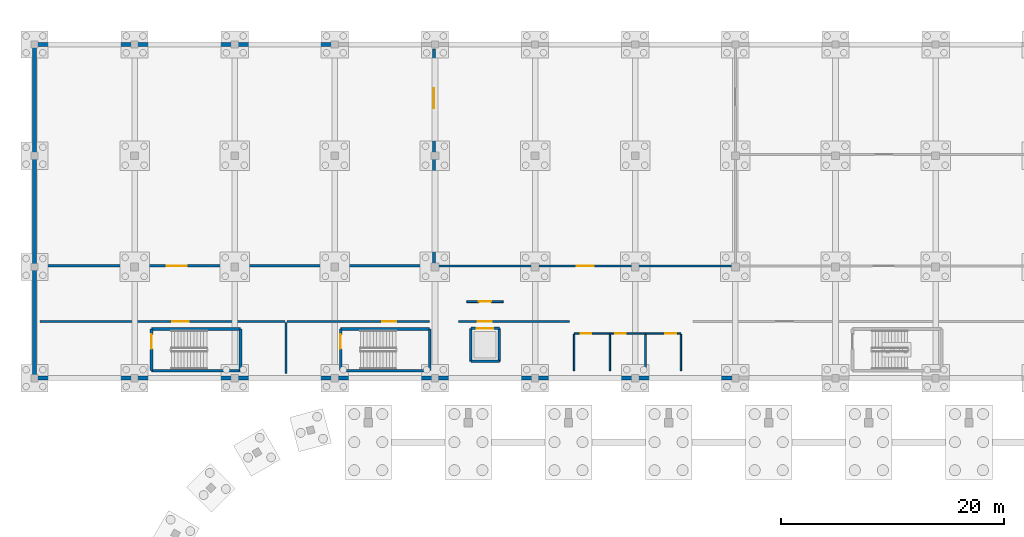
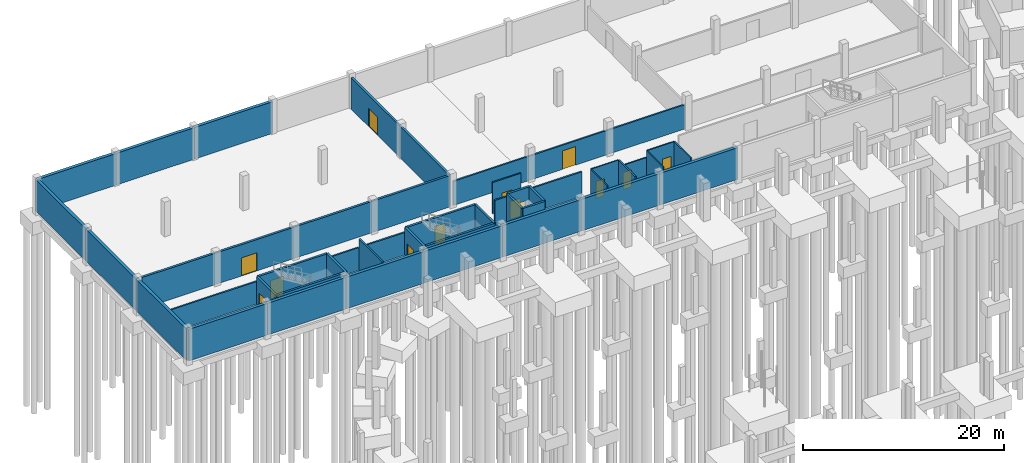
# One storey, part 21 of 36: 40 walls, 13 doors, 13 openings.
"""IFC4 building model written with IfcOpenShell, lengths in metres."""

from ifc_helpers import new_model, si_unit, derived_unit, direction, frame, frame_2d, origin, place, context, subcontext, project, spatial, rectangle, extrude, material, layer, layer_set, type_object, element, fill, save


model = new_model("IFC4")

# Units and contexts
model_context = context("Model", 3, precision=1e-05, world=origin(), true_north=direction((0.0, 1.0)))
body_context = subcontext(model_context, "Body", "Model", "MODEL_VIEW")
ifc_project = project(units=[si_unit("LENGTHUNIT", "METRE"), si_unit("AREAUNIT", "SQUARE_METRE"), si_unit("VOLUMEUNIT", "CUBIC_METRE"), si_unit("PLANEANGLEUNIT", "RADIAN"), si_unit("MASSUNIT", "GRAM", prefix="KILO"), si_unit("THERMODYNAMICTEMPERATUREUNIT", "KELVIN"), si_unit("TIMEUNIT", "SECOND"), derived_unit("THERMALTRANSMITTANCEUNIT", [(si_unit("MASSUNIT", "GRAM", prefix="KILO"), 1), (si_unit("THERMODYNAMICTEMPERATUREUNIT", "KELVIN"), -1), (si_unit("TIMEUNIT", "SECOND"), -3)])], contexts=[model_context])

# Site, building, storey
site_placement = place(None, origin())
site = spatial("IfcSite", under=ifc_project, at=site_placement, CompositionType="ELEMENT")
building_placement = place(site_placement, origin())
building = spatial("IfcBuilding", under=site, at=building_placement, Name="Cambertide Market Hall", CompositionType="ELEMENT")
storey_placement = place(building_placement, frame((0.0, 0.0, -4.199951171875)))
storey = spatial("IfcBuildingStorey", under=building, at=storey_placement, Name="B1", CompositionType="ELEMENT", Elevation=-4.199951171875)

# Walls
ifc_material_1 = material(Name="Concrete B35", Category="concrete")
ifc_layer_1 = layer(ifc_material_1, 0.35009765625, Name="Basement Retaining Wall 350")
ifc_layer_set_1 = layer_set([ifc_layer_1], Name="Concrete B35")
wall_type_1 = type_object("IfcWallType", Name="Basement Retaining Wall 350", PredefinedType="SOLIDWALL", material=ifc_layer_set_1)
for number, where, z_axis, x_axis, name in (
    (1, (12.0, 126.0, 0.0), (0.0, 0.0, 1.0), (1.0, 0.0, 0.0), "Basement 1 Exterior Wall EW-B1-V2N-1"),
    (2, (21.0, 96.0, 0.0), (0.0, 0.0, 1.0), (-1.0, 0.0, 0.0), "Basement 1 Exterior Wall EW-B1-V2S-1"),
    (3, (21.0, 126.0, 0.0), (0.0, 0.0, 1.0), (1.0, 0.0, 0.0), "Basement 1 Exterior Wall EW-B1-V2N-2"),
    (4, (30.0, 96.0, 0.0), (0.0, 0.0, 1.0), (-1.0, 0.0, 0.0), "Basement 1 Exterior Wall EW-B1-V2S-2"),
    (5, (30.0, 126.0, 0.0), (0.0, 0.0, 1.0), (1.0, 0.0, 0.0), "Basement 1 Exterior Wall EW-B1-V2N-3"),
    (6, (39.0, 96.0, 0.0), (0.0, 0.0, 1.0), (-1.0, 0.0, 0.0), "Basement 1 Exterior Wall EW-B1-V2S-3"),
    (7, (48.0, 96.0, 0.0), (0.0, 0.0, 1.0), (-1.0, 0.0, 0.0), "Basement 1 Exterior Wall EW-B1-V2S-4"),
    (8, (57.0, 96.0, 0.0), (0.0, 0.0, 1.0), (-1.0, 0.0, 0.0), "Basement 1 Exterior Wall EW-B1-V2S-5"),
    (9, (66.0, 96.0, 0.0), (0.0, 0.0, 1.0), (-1.0, 0.0, 0.0), "Basement 1 Exterior Wall EW-B1-V2S-6"),
    (10, (75.0, 96.0, 0.0), (0.0, 0.0, 1.0), (-1.0, 0.0, 0.0), "Basement 1 Exterior Wall EW-B1-V2S-7"),
):
    element("IfcWall", number, at=place(storey_placement, frame(where, z_axis=z_axis, x_axis=x_axis)), inside=storey, type_object=wall_type_1, Name=name, PredefinedType="SOLIDWALL", context=body_context, shape_type="SweptSolid", body=[
        extrude(rectangle(XDim=9.0, YDim=0.35009765625, at=frame_2d((4.5, 0.0))), origin(), (0.0, 0.0, 1.0), 3.83984375),
    ])
for number, where, z_axis, x_axis, name in (
    (11, (12.0, 96.0, 0.0), (0.0, 0.0, 1.0), (0.0, 1.0, 0.0), "Basement 1 Exterior Wall EW-B1-V2W-1"),
    (12, (12.0, 106.0, 0.0), (0.0, 0.0, 1.0), (0.0, 1.0, 0.0), "Basement 1 Exterior Wall EW-B1-V2W-2"),
    (13, (12.0, 116.0, 0.0), (0.0, 0.0, 1.0), (0.0, 1.0, 0.0), "Basement 1 Exterior Wall EW-B1-V2W-3"),
):
    element("IfcWall", number, at=place(storey_placement, frame(where, z_axis=z_axis, x_axis=x_axis)), inside=storey, type_object=wall_type_1, Name=name, PredefinedType="SOLIDWALL", context=body_context, shape_type="SweptSolid", body=[
        extrude(rectangle(XDim=10.0, YDim=0.35009765625, at=frame_2d((5.0, 0.0))), origin(), (0.0, 0.0, 1.0), 3.83984375),
    ])

# Wall, opening, door
ifc_material_2 = material(Name="Polyurethane Insulated Stainless Sandwich Panel", Category="metal")
ifc_layer_2 = layer(ifc_material_2, 0.179931640625, Name="Cold-Store Insulated Sandwich Wall 180")
ifc_layer_set_2 = layer_set([ifc_layer_2], Name="Polyurethane Insulated Stainless Sandwich Panel")
wall_type_2 = type_object("IfcWallType", Name="Cold-Store Insulated Sandwich Wall 180", PredefinedType="PARTITIONING", material=ifc_layer_set_2)
wall_1_placement = place(storey_placement, frame((12.5, 101.10009765625, 0.0), z_axis=(0.0, 0.0, 1.0), x_axis=(1.0, 0.0, 0.0)))
wall_1 = element("IfcWall", 14, at=wall_1_placement, inside=storey, type_object=wall_type_2, Name="Basement 1 Interior Wall IW-B1-CS-S1", PredefinedType="PARTITIONING", context=body_context, shape_type="SweptSolid", body=[
    extrude(rectangle(XDim=22.0, YDim=0.179931640625, at=frame_2d((11.0, 0.0))), origin(), (0.0, 0.0, 1.0), 2.739990234375),
])
opening_1_placement = place(wall_1_placement, frame((11.889892578125, 0.0, 0.0)))
opening_1 = element("IfcOpeningElement", 15, at=opening_1_placement, cuts=wall_1, Name="Opening CD-01", PredefinedType="OPENING", context=body_context, shape_type="SweptSolid", body=[
    extrude(rectangle(XDim=1.5, YDim=2.25, at=frame_2d((0.75, 1.125))), frame((0.0, 0.099853515625, 0.0), z_axis=(0.0, -1.0, 0.0), x_axis=(1.0, 0.0, 0.0)), (0.0, 0.0, 1.0), 0.199951171875),
])
ifc_material_3 = material(Name="Polyurethane Insulated Stainless Sandwich Panel", Category="metal")
door_type_1 = type_object("IfcDoorType", Name="Cold-Store Insulated Sliding Door 1500x2250", OperationType="SLIDING_TO_LEFT", PredefinedType="DOOR", material=ifc_material_3)
door_1_placement = place(opening_1_placement, origin())
door_1 = element("IfcDoor", 16, at=door_1_placement, inside=storey, type_object=door_type_1, Name="Basement 1 Door IW-B1-CS-S1-DR1", OperationType="SLIDING_TO_LEFT", OverallHeight=2.25, OverallWidth=1.5, PredefinedType="DOOR", context=body_context, shape_type="SweptSolid", body=[
    extrude(rectangle(XDim=1.5, YDim=2.25, at=frame_2d((0.75, 1.125))), frame((0.0, 0.02490234375, 0.0), z_axis=(0.0, -1.0, 0.0), x_axis=(1.0, 0.0, 0.0)), (0.0, 0.0, 1.0), 0.050048828125),
])
fill(opening_1, door_1)

wall_2_placement = place(storey_placement, frame((34.699951171875, 101.10009765625, 0.0), z_axis=(0.0, 0.0, 1.0), x_axis=(1.0, 0.0, 0.0)))
wall_2 = element("IfcWall", 17, at=wall_2_placement, inside=storey, type_object=wall_type_2, Name="Basement 1 Interior Wall IW-B1-CS-S2", PredefinedType="PARTITIONING", context=body_context, shape_type="SweptSolid", body=[
    extrude(rectangle(XDim=12.800048828125, YDim=0.179931640625, at=frame_2d((6.39990234375, 0.0))), origin(), (0.0, 0.0, 1.0), 2.739990234375),
])
opening_2_placement = place(wall_2_placement, frame((8.547119140625, 0.0, 0.0)))
opening_2 = element("IfcOpeningElement", 18, at=opening_2_placement, cuts=wall_2, Name="Opening CD-02", PredefinedType="OPENING", context=body_context, shape_type="SweptSolid", body=[
    extrude(rectangle(XDim=1.25, YDim=2.199951171875, at=frame_2d((0.625, 1.10009765625))), frame((0.0, 0.099853515625, 0.0), z_axis=(0.0, -1.0, 0.0), x_axis=(1.0, 0.0, 0.0)), (0.0, 0.0, 1.0), 0.199951171875),
])
ifc_material_4 = material(Name="Polyurethane Insulated Stainless Sandwich Panel", Category="metal")
door_type_2 = type_object("IfcDoorType", Name="Freezer Insulated Swing Door 1250x2200", OperationType="NOTDEFINED", PredefinedType="DOOR", material=ifc_material_4)
door_2_placement = place(opening_2_placement, origin())
door_2 = element("IfcDoor", 19, at=door_2_placement, inside=storey, type_object=door_type_2, Name="Basement 1 Door IW-B1-CS-S2-DR1", OperationType="SINGLE_SWING_RIGHT", OverallHeight=2.199951171875, OverallWidth=1.25, PredefinedType="DOOR", context=body_context, shape_type="SweptSolid", body=[
    extrude(rectangle(XDim=1.25, YDim=2.199951171875, at=frame_2d((0.625, 1.10009765625))), frame((0.0, 0.02490234375, 0.0), z_axis=(0.0, -1.0, 0.0), x_axis=(1.0, 0.0, 0.0)), (0.0, 0.0, 1.0), 0.050048828125),
])
fill(opening_2, door_2)

wall_3_placement = place(storey_placement, frame((48.199951171875, 106.10009765625, 0.0), z_axis=(0.0, 0.0, 1.0), x_axis=(1.0, 0.0, 0.0)))
wall_3 = element("IfcWall", 20, at=wall_3_placement, inside=storey, type_object=wall_type_2, Name="Basement 1 Interior Wall IW-B1-CS-N2", PredefinedType="PARTITIONING", context=body_context, shape_type="SweptSolid", body=[
    extrude(rectangle(XDim=26.60009765625, YDim=0.179931640625, at=frame_2d((13.300048828125, 0.0))), origin(), (0.0, 0.0, 1.0), 2.93994140625),
])
opening_3_placement = place(wall_3_placement, frame((12.550048828125, 0.0, 0.0)))
opening_3 = element("IfcOpeningElement", 21, at=opening_3_placement, cuts=wall_3, Name="Opening CD-01", PredefinedType="OPENING", context=body_context, shape_type="SweptSolid", body=[
    extrude(rectangle(XDim=1.5, YDim=2.25, at=frame_2d((0.75, 1.125))), frame((0.0, 0.099853515625, 0.0), z_axis=(0.0, -1.0, 0.0), x_axis=(1.0, 0.0, 0.0)), (0.0, 0.0, 1.0), 0.199951171875),
])
door_3_placement = place(opening_3_placement, origin())
door_3 = element("IfcDoor", 22, at=door_3_placement, inside=storey, type_object=door_type_1, Name="Basement 1 Door IW-B1-CS-N2-DR1", OperationType="SLIDING_TO_LEFT", OverallHeight=2.25, OverallWidth=1.5, PredefinedType="DOOR", context=body_context, shape_type="SweptSolid", body=[
    extrude(rectangle(XDim=1.5, YDim=2.25, at=frame_2d((0.75, 1.125))), frame((0.0, 0.02490234375, 0.0), z_axis=(0.0, -1.0, 0.0), x_axis=(1.0, 0.0, 0.0)), (0.0, 0.0, 1.0), 0.050048828125),
])
fill(opening_3, door_3)

wall_4_placement = place(storey_placement, frame((50.10009765625, 101.10009765625, 0.0), z_axis=(0.0, 0.0, 1.0), x_axis=(1.0, 0.0, 0.0)))
wall_4 = element("IfcWall", 23, at=wall_4_placement, inside=storey, type_object=wall_type_2, Name="Basement 1 Interior Wall IW-B1-CS-MID", PredefinedType="PARTITIONING", context=body_context, shape_type="SweptSolid", body=[
    extrude(rectangle(XDim=10.0, YDim=0.179931640625, at=frame_2d((5.0, 0.0))), origin(), (0.0, 0.0, 1.0), 2.989990234375),
])
opening_4_placement = place(wall_4_placement, frame((1.75, 0.0, 0.0)))
opening_4 = element("IfcOpeningElement", 24, at=opening_4_placement, cuts=wall_4, Name="Opening CD-02", PredefinedType="OPENING", context=body_context, shape_type="SweptSolid", body=[
    extrude(rectangle(XDim=1.25, YDim=2.199951171875, at=frame_2d((0.625, 1.10009765625))), frame((0.0, 0.099853515625, 0.0), z_axis=(0.0, -1.0, 0.0), x_axis=(1.0, 0.0, 0.0)), (0.0, 0.0, 1.0), 0.199951171875),
])
door_4_placement = place(opening_4_placement, origin())
door_4 = element("IfcDoor", 25, at=door_4_placement, inside=storey, type_object=door_type_2, Name="Basement 1 Door IW-B1-CS-MID-DR1", OperationType="SINGLE_SWING_RIGHT", OverallHeight=2.199951171875, OverallWidth=1.25, PredefinedType="DOOR", context=body_context, shape_type="SweptSolid", body=[
    extrude(rectangle(XDim=1.25, YDim=2.199951171875, at=frame_2d((0.625, 1.10009765625))), frame((0.0, 0.02490234375, 0.0), z_axis=(0.0, -1.0, 0.0), x_axis=(1.0, 0.0, 0.0)), (0.0, 0.0, 1.0), 0.050048828125),
])
fill(opening_4, door_4)

ifc_material_5 = material(Name="Concrete B35", Category="concrete")
ifc_layer_3 = layer(ifc_material_5, 0.25, Name="Compartment Fire Wall 250")
ifc_layer_set_3 = layer_set([ifc_layer_3], Name="Concrete B35")
wall_type_3 = type_object("IfcWallType", Name="Compartment Fire Wall 250", PredefinedType="SOLIDWALL", material=ifc_layer_set_3)
wall_5_placement = place(storey_placement, frame((12.5, 106.10009765625, 0.0), z_axis=(0.0, 0.0, 1.0), x_axis=(1.0, 0.0, 0.0)))
wall_5 = element("IfcWall", 26, at=wall_5_placement, inside=storey, type_object=wall_type_3, Name="Basement 1 Interior Wall IW-B1-CS-N1", PredefinedType="SOLIDWALL", context=body_context, shape_type="SweptSolid", body=[
    extrude(rectangle(XDim=35.300048828125, YDim=0.25, at=frame_2d((17.64990234375, 0.0))), origin(), (0.0, 0.0, 1.0), 3.800048828125),
])
opening_5_placement = place(wall_5_placement, frame((11.389892578125, 0.0, 0.0)))
opening_5 = element("IfcOpeningElement", 27, at=opening_5_placement, cuts=wall_5, Name="Opening FD-02", PredefinedType="OPENING", context=body_context, shape_type="SweptSolid", body=[
    extrude(rectangle(XDim=1.800048828125, YDim=2.199951171875, at=frame_2d((0.89990234375, 1.10009765625))), frame((0.0, 0.135009765625, 0.0), z_axis=(0.0, -1.0, 0.0), x_axis=(1.0, 0.0, 0.0)), (0.0, 0.0, 1.0), 0.27001953125),
])
ifc_material_6 = material(Name="Powder-Coated Galvanized Sheet Metal", Category="metal")
door_type_3 = type_object("IfcDoorType", Name="Compartment Double Fire Door 1800x2200", OperationType="DOUBLE_DOOR_SINGLE_SWING", PredefinedType="DOOR", material=ifc_material_6)
door_5_placement = place(opening_5_placement, origin())
door_5 = element("IfcDoor", 28, at=door_5_placement, inside=storey, type_object=door_type_3, Name="Basement 1 Door IW-B1-CS-N1-DR1", OperationType="DOUBLE_DOOR_SINGLE_SWING", OverallHeight=2.199951171875, OverallWidth=1.800048828125, PredefinedType="DOOR", context=body_context, shape_type="SweptSolid", body=[
    extrude(rectangle(XDim=1.800048828125, YDim=2.199951171875, at=frame_2d((0.89990234375, 1.10009765625))), frame((0.0, 0.02490234375, 0.0), z_axis=(0.0, -1.0, 0.0), x_axis=(1.0, 0.0, 0.0)), (0.0, 0.0, 1.0), 0.050048828125),
])
fill(opening_5, door_5)

wall_6_placement = place(storey_placement, frame((47.89990234375, 106.199951171875, 0.0), z_axis=(0.0, 0.0, 1.0), x_axis=(0.0, 1.0, 0.0)))
wall_6 = element("IfcWall", 29, at=wall_6_placement, inside=storey, type_object=wall_type_3, Name="Basement 1 Interior Wall IW-B1-DOCK-DIV", PredefinedType="SOLIDWALL", context=body_context, shape_type="SweptSolid", body=[
    extrude(rectangle(XDim=19.400146484375, YDim=0.25, at=frame_2d((9.7001953125, 0.0))), origin(), (0.0, 0.0, 1.0), 3.800048828125),
])
opening_6_placement = place(wall_6_placement, frame((14.080078125, 0.0, 0.0)))
opening_6 = element("IfcOpeningElement", 30, at=opening_6_placement, cuts=wall_6, Name="Opening FD-02", PredefinedType="OPENING", context=body_context, shape_type="SweptSolid", body=[
    extrude(rectangle(XDim=1.800048828125, YDim=2.199951171875, at=frame_2d((0.89990234375, 1.10009765625))), frame((0.0, 0.135009765625, 0.0), z_axis=(0.0, -1.0, 0.0), x_axis=(1.0, 0.0, 0.0)), (0.0, 0.0, 1.0), 0.27001953125),
])
door_6_placement = place(opening_6_placement, origin())
door_6 = element("IfcDoor", 31, at=door_6_placement, inside=storey, type_object=door_type_3, Name="Basement 1 Door IW-B1-DOCK-DIV-DR1", OperationType="DOUBLE_DOOR_SINGLE_SWING", OverallHeight=2.199951171875, OverallWidth=1.800048828125, PredefinedType="DOOR", context=body_context, shape_type="SweptSolid", body=[
    extrude(rectangle(XDim=1.800048828125, YDim=2.199951171875, at=frame_2d((0.89990234375, 1.10009765625))), frame((0.0, 0.02490234375, 0.0), z_axis=(0.0, -1.0, 0.0), x_axis=(1.0, 0.0, 0.0)), (0.0, 0.0, 1.0), 0.050048828125),
])
fill(opening_6, door_6)

# Wall
ifc_material_7 = material(Name="Polyurethane Insulated Stainless Sandwich Panel", Category="metal")
ifc_layer_4 = layer(ifc_material_7, 0.199951171875, Name="Freezer Insulated Sandwich Wall 200")
ifc_layer_set_4 = layer_set([ifc_layer_4], Name="Polyurethane Insulated Stainless Sandwich Panel")
wall_type_4 = type_object("IfcWallType", Name="Freezer Insulated Sandwich Wall 200", PredefinedType="PARTITIONING", material=ifc_layer_set_4)
wall_7_placement = place(storey_placement, frame((34.60009765625, 96.39990234375, 0.0), z_axis=(0.0, 0.0, 1.0), x_axis=(0.0, 1.0, 0.0)))
element("IfcWall", 32, at=wall_7_placement, inside=storey, type_object=wall_type_4, Name="Basement 1 Interior Wall IW-B1-CS-DIV1", PredefinedType="PARTITIONING", context=body_context, shape_type="SweptSolid", body=[
    extrude(rectangle(XDim=4.60009765625, YDim=0.199951171875, at=frame_2d((2.300048828125, 0.0))), origin(), (0.0, 0.0, 1.0), 3.800048828125),
])

# Wall, opening, door
ifc_material_8 = material(Name="Autoclaved Aerated Concrete Blockwork M7.5", Category="masonry")
ifc_layer_5 = layer(ifc_material_8, 0.169921875, Name="Lift Lobby Fire Partition 170")
ifc_layer_set_5 = layer_set([ifc_layer_5], Name="Autoclaved Aerated Concrete Blockwork M7.5")
wall_type_5 = type_object("IfcWallType", Name="Lift Lobby Fire Partition 170", PredefinedType="PARTITIONING", material=ifc_layer_set_5)
wall_8_placement = place(storey_placement, frame((50.8701171875, 102.8798828125, 0.0), z_axis=(0.0, 0.0, 1.0), x_axis=(1.0, 0.0, 0.0)))
wall_8 = element("IfcWall", 33, at=wall_8_placement, inside=storey, type_object=wall_type_5, Name="Basement 1 Interior Wall LLW-LG-01-B1", PredefinedType="PARTITIONING", context=body_context, shape_type="SweptSolid", body=[
    extrude(rectangle(XDim=3.259765625, YDim=0.169921875, at=frame_2d((1.6298828125, 0.0))), origin(), (0.0, 0.0, 1.0), 3.800048828125),
])
opening_7_placement = place(wall_8_placement, frame((1.054931640625, 0.0, 0.0)))
opening_7 = element("IfcOpeningElement", 34, at=opening_7_placement, cuts=wall_8, Name="Opening KD-02", PredefinedType="OPENING", context=body_context, shape_type="SweptSolid", body=[
    extrude(rectangle(XDim=1.14990234375, YDim=2.14990234375, at=frame_2d((0.574951171875, 1.074951171875))), frame((0.0, 0.094970703125, 0.0), z_axis=(0.0, -1.0, 0.0), x_axis=(1.0, 0.0, 0.0)), (0.0, 0.0, 1.0), 0.18994140625),
])
ifc_material_9 = material(Name="Stainless Steel Grade 316", Category="metal")
door_type_4 = type_object("IfcDoorType", Name="Lift Lobby Smoke-Stop Door 1150x2150", OperationType="NOTDEFINED", PredefinedType="DOOR", material=ifc_material_9)
door_7_placement = place(opening_7_placement, origin())
door_7 = element("IfcDoor", 35, at=door_7_placement, inside=storey, type_object=door_type_4, Name="Basement 1 Door LLW-LG-01-B1-DR1", OperationType="SINGLE_SWING_LEFT", OverallHeight=2.14990234375, OverallWidth=1.14990234375, PredefinedType="DOOR", context=body_context, shape_type="SweptSolid", body=[
    extrude(rectangle(XDim=1.14990234375, YDim=2.14990234375, at=frame_2d((0.574951171875, 1.074951171875))), frame((0.0, 0.02490234375, 0.0), z_axis=(0.0, -1.0, 0.0), x_axis=(1.0, 0.0, 0.0)), (0.0, 0.0, 1.0), 0.050048828125),
])
fill(opening_7, door_7)

ifc_material_10 = material(Name="Autoclaved Aerated Concrete Blockwork M7.5", Category="masonry")
ifc_layer_6 = layer(ifc_material_10, 0.139892578125, Name="Sanitary & Wet-Area Masonry Partition 140")
ifc_layer_set_6 = layer_set([ifc_layer_6], Name="Autoclaved Aerated Concrete Blockwork M7.5")
wall_type_6 = type_object("IfcWallType", Name="Sanitary & Wet-Area Masonry Partition 140", PredefinedType="PARTITIONING", material=ifc_layer_set_6)
wall_9_placement = place(storey_placement, frame((60.5, 100.0, 0.0), z_axis=(0.0, 0.0, 1.0), x_axis=(1.0, 0.0, 0.0)))
wall_9 = element("IfcWall", 36, at=wall_9_placement, inside=storey, type_object=wall_type_6, Name="Basement 1 Interior Wall WCW-B1-B1A-F1", PredefinedType="PARTITIONING", context=body_context, shape_type="SweptSolid", body=[
    extrude(rectangle(XDim=3.199951171875, YDim=0.139892578125, at=frame_2d((1.60009765625, 0.0))), origin(), (0.0, 0.0, 1.0), 3.800048828125),
])
opening_8_placement = place(wall_9_placement, frame((0.5849609375, 0.0, 0.0)))
opening_8 = element("IfcOpeningElement", 37, at=opening_8_placement, cuts=wall_9, Name="Opening ID-04", PredefinedType="OPENING", context=body_context, shape_type="SweptSolid", body=[
    extrude(rectangle(XDim=0.949951171875, YDim=2.10009765625, at=frame_2d((0.47509765625, 1.050048828125))), frame((0.0, 0.079833984375, 0.0), z_axis=(0.0, -1.0, 0.0), x_axis=(1.0, 0.0, 0.0)), (0.0, 0.0, 1.0), 0.159912109375),
])
ifc_material_11 = material(Name="Champagne Marine Anodized Aluminium 6063-T6 AA25", Category="aluminium")
door_type_5 = type_object("IfcDoorType", Name="WC & Office Single Door 950x2100", OperationType="NOTDEFINED", PredefinedType="DOOR", material=ifc_material_11)
door_8_placement = place(opening_8_placement, origin())
door_8 = element("IfcDoor", 38, at=door_8_placement, inside=storey, type_object=door_type_5, Name="Basement 1 Door WCW-B1-B1A-F1-DR1", OperationType="SINGLE_SWING_RIGHT", OverallHeight=2.10009765625, OverallWidth=0.949951171875, PredefinedType="DOOR", context=body_context, shape_type="SweptSolid", body=[
    extrude(rectangle(XDim=0.949951171875, YDim=2.10009765625, at=frame_2d((0.47509765625, 1.050048828125))), frame((0.0, 0.02490234375, 0.0), z_axis=(0.0, -1.0, 0.0), x_axis=(1.0, 0.0, 0.0)), (0.0, 0.0, 1.0), 0.050048828125),
])
fill(opening_8, door_8)

wall_10_placement = place(storey_placement, frame((63.75, 100.0, 0.0), z_axis=(0.0, 0.0, 1.0), x_axis=(1.0, 0.0, 0.0)))
wall_10 = element("IfcWall", 39, at=wall_10_placement, inside=storey, type_object=wall_type_6, Name="Basement 1 Interior Wall WCW-B1-B1A-F2", PredefinedType="PARTITIONING", context=body_context, shape_type="SweptSolid", body=[
    extrude(rectangle(XDim=3.14990234375, YDim=0.139892578125, at=frame_2d((1.574951171875, 0.0))), origin(), (0.0, 0.0, 1.0), 2.989990234375),
])
opening_9_placement = place(wall_10_placement, frame((0.43994140625, 0.0, 0.0)))
opening_9 = element("IfcOpeningElement", 40, at=opening_9_placement, cuts=wall_10, Name="Opening ID-04", PredefinedType="OPENING", context=body_context, shape_type="SweptSolid", body=[
    extrude(rectangle(XDim=0.949951171875, YDim=2.10009765625, at=frame_2d((0.47509765625, 1.050048828125))), frame((0.0, 0.079833984375, 0.0), z_axis=(0.0, -1.0, 0.0), x_axis=(1.0, 0.0, 0.0)), (0.0, 0.0, 1.0), 0.159912109375),
])
door_9_placement = place(opening_9_placement, origin())
door_9 = element("IfcDoor", 41, at=door_9_placement, inside=storey, type_object=door_type_5, Name="Basement 1 Door WCW-B1-B1A-F2-DR1", OperationType="SINGLE_SWING_LEFT", OverallHeight=2.10009765625, OverallWidth=0.949951171875, PredefinedType="DOOR", context=body_context, shape_type="SweptSolid", body=[
    extrude(rectangle(XDim=0.949951171875, YDim=2.10009765625, at=frame_2d((0.47509765625, 1.050048828125))), frame((0.0, 0.02490234375, 0.0), z_axis=(0.0, -1.0, 0.0), x_axis=(1.0, 0.0, 0.0)), (0.0, 0.0, 1.0), 0.050048828125),
])
fill(opening_9, door_9)

wall_11_placement = place(storey_placement, frame((66.949951171875, 100.0, 0.0), z_axis=(0.0, 0.0, 1.0), x_axis=(1.0, 0.0, 0.0)))
wall_11 = element("IfcWall", 42, at=wall_11_placement, inside=storey, type_object=wall_type_6, Name="Basement 1 Interior Wall WCW-B1-B1A-F3", PredefinedType="PARTITIONING", context=body_context, shape_type="SweptSolid", body=[
    extrude(rectangle(XDim=3.150146484375, YDim=0.139892578125, at=frame_2d((1.5751953125, 0.0))), origin(), (0.0, 0.0, 1.0), 3.800048828125),
])
opening_10_placement = place(wall_11_placement, frame((1.736083984375, 0.0, 0.0)))
opening_10 = element("IfcOpeningElement", 43, at=opening_10_placement, cuts=wall_11, Name="Opening ID-05", PredefinedType="OPENING", context=body_context, shape_type="SweptSolid", body=[
    extrude(rectangle(XDim=0.97998046875, YDim=2.14990234375, at=frame_2d((0.489990234375, 1.074951171875))), frame((0.0, 0.079833984375, 0.0), z_axis=(0.0, -1.0, 0.0), x_axis=(1.0, 0.0, 0.0)), (0.0, 0.0, 1.0), 0.159912109375),
])
ifc_material_12 = material(Name="Champagne Marine Anodized Aluminium 6063-T6 AA25", Category="aluminium")
door_type_6 = type_object("IfcDoorType", Name="Accessible WC Outward Door 980x2150", OperationType="NOTDEFINED", PredefinedType="DOOR", material=ifc_material_12)
door_10_placement = place(opening_10_placement, origin())
door_10 = element("IfcDoor", 44, at=door_10_placement, inside=storey, type_object=door_type_6, Name="Basement 1 Door WCW-B1-B1A-F3-DR1", OperationType="SINGLE_SWING_RIGHT", OverallHeight=2.14990234375, OverallWidth=0.97998046875, PredefinedType="DOOR", context=body_context, shape_type="SweptSolid", body=[
    extrude(rectangle(XDim=0.97998046875, YDim=2.14990234375, at=frame_2d((0.489990234375, 1.074951171875))), frame((0.0, 0.02490234375, 0.0), z_axis=(0.0, -1.0, 0.0), x_axis=(1.0, 0.0, 0.0)), (0.0, 0.0, 1.0), 0.050048828125),
])
fill(opening_10, door_10)

# Walls
for number, where, z_axis, x_axis, name in (
    (45, (63.719970703125, 96.64990234375, 0.0), (0.0, 0.0, 1.0), (0.0, 1.0, 0.0), "Basement 1 Interior Wall WCW-B1-B1A-D1"),
    (46, (66.919921875, 96.64990234375, 0.0), (0.0, 0.0, 1.0), (0.0, 1.0, 0.0), "Basement 1 Interior Wall WCW-B1-B1A-D2"),
    (47, (60.5, 96.64990234375, 0.0), (0.0, 0.0, 1.0), (0.0, 1.0, 0.0), "Basement 1 Interior Wall WCW-B1-B1A-L"),
    (48, (70.10009765625, 96.64990234375, 0.0), (0.0, 0.0, 1.0), (0.0, 1.0, 0.0), "Basement 1 Interior Wall WCW-B1-B1A-R"),
):
    element("IfcWall", number, at=place(storey_placement, frame(where, z_axis=z_axis, x_axis=x_axis)), inside=storey, type_object=wall_type_6, Name=name, PredefinedType="PARTITIONING", context=body_context, shape_type="SweptSolid", body=[
        extrude(rectangle(XDim=3.300048828125, YDim=0.139892578125, at=frame_2d((1.64990234375, 0.0))), origin(), (0.0, 0.0, 1.0), 3.800048828125),
    ])

# Wall, opening, door
ifc_material_13 = material(Name="Concrete B35", Category="concrete")
ifc_layer_7 = layer(ifc_material_13, 0.239990234375, Name="Stair & Lift Core Shaft Wall 240")
ifc_layer_set_7 = layer_set([ifc_layer_7], Name="Concrete B35")
wall_type_7 = type_object("IfcWallType", Name="Stair & Lift Core Shaft Wall 240", PredefinedType="SOLIDWALL", material=ifc_layer_set_7)
wall_12_placement = place(storey_placement, frame((22.52490234375, 96.675048828125, 0.0), z_axis=(0.0, 0.0, 1.0), x_axis=(0.0, 1.0, 0.0)))
wall_12 = element("IfcWall", 49, at=wall_12_placement, inside=storey, type_object=wall_type_7, Name="Basement 1 Interior Wall SHW-ST-03-B1-NEAR", PredefinedType="SOLIDWALL", context=body_context, shape_type="SweptSolid", body=[
    extrude(rectangle(XDim=3.75, YDim=0.239990234375, at=frame_2d((1.875, 0.0))), origin(), (0.0, 0.0, 1.0), 3.83984375),
])
opening_11_placement = place(wall_12_placement, frame((1.9599609375, 0.0, 0.0)))
opening_11 = element("IfcOpeningElement", 50, at=opening_11_placement, cuts=wall_12, Name="Opening FD-01", PredefinedType="OPENING", context=body_context, shape_type="SweptSolid", body=[
    extrude(rectangle(XDim=1.300048828125, YDim=2.14990234375, at=frame_2d((0.64990234375, 1.074951171875))), frame((0.0, 0.1298828125, 0.0), z_axis=(0.0, -1.0, 0.0), x_axis=(1.0, 0.0, 0.0)), (0.0, 0.0, 1.0), 0.260009765625),
])
ifc_material_14 = material(Name="Powder-Coated Galvanized Sheet Metal", Category="metal")
door_type_7 = type_object("IfcDoorType", Name="Stair Core Fire Door 1300x2150", OperationType="NOTDEFINED", PredefinedType="DOOR", material=ifc_material_14)
door_11_placement = place(opening_11_placement, origin())
door_11 = element("IfcDoor", 51, at=door_11_placement, inside=storey, type_object=door_type_7, Name="Basement 1 Door SHW-ST-03-B1-NEAR-DR1", OperationType="SINGLE_SWING_LEFT", OverallHeight=2.14990234375, OverallWidth=1.300048828125, PredefinedType="DOOR", context=body_context, shape_type="SweptSolid", body=[
    extrude(rectangle(XDim=1.300048828125, YDim=2.14990234375, at=frame_2d((0.64990234375, 1.074951171875))), frame((0.0, 0.02490234375, 0.0), z_axis=(0.0, -1.0, 0.0), x_axis=(1.0, 0.0, 0.0)), (0.0, 0.0, 1.0), 0.050048828125),
])
fill(opening_11, door_11)

# Walls
wall_13_placement = place(storey_placement, frame((30.52490234375, 96.675048828125, 0.0), z_axis=(0.0, 0.0, 1.0), x_axis=(-1.0, 0.0, 0.0)))
element("IfcWall", 52, at=wall_13_placement, inside=storey, type_object=wall_type_7, Name="Basement 1 Interior Wall SHW-ST-03-B1-L", PredefinedType="SOLIDWALL", context=body_context, shape_type="SweptSolid", body=[
    extrude(rectangle(XDim=8.0, YDim=0.239990234375, at=frame_2d((4.0, 0.0))), origin(), (0.0, 0.0, 1.0), 3.83984375),
])
wall_14_placement = place(storey_placement, frame((30.52490234375, 100.425048828125, 0.0), z_axis=(0.0, 0.0, 1.0), x_axis=(0.0, -1.0, 0.0)))
element("IfcWall", 53, at=wall_14_placement, inside=storey, type_object=wall_type_7, Name="Basement 1 Interior Wall SHW-ST-03-B1-FAR", PredefinedType="SOLIDWALL", context=body_context, shape_type="SweptSolid", body=[
    extrude(rectangle(XDim=3.75, YDim=0.239990234375, at=frame_2d((1.875, 0.0))), origin(), (0.0, 0.0, 1.0), 3.83984375),
])
wall_15_placement = place(storey_placement, frame((22.52490234375, 100.425048828125, 0.0), z_axis=(0.0, 0.0, 1.0), x_axis=(1.0, 0.0, 0.0)))
element("IfcWall", 54, at=wall_15_placement, inside=storey, type_object=wall_type_7, Name="Basement 1 Interior Wall SHW-ST-03-B1-R", PredefinedType="SOLIDWALL", context=body_context, shape_type="SweptSolid", body=[
    extrude(rectangle(XDim=8.0, YDim=0.239990234375, at=frame_2d((4.0, 0.0))), origin(), (0.0, 0.0, 1.0), 3.83984375),
])

# Wall, opening, door
wall_16_placement = place(storey_placement, frame((39.52490234375, 96.675048828125, 0.0), z_axis=(0.0, 0.0, 1.0), x_axis=(0.0, 1.0, 0.0)))
wall_16 = element("IfcWall", 55, at=wall_16_placement, inside=storey, type_object=wall_type_7, Name="Basement 1 Interior Wall SHW-ST-03B-B1-NEAR", PredefinedType="SOLIDWALL", context=body_context, shape_type="SweptSolid", body=[
    extrude(rectangle(XDim=3.75, YDim=0.239990234375, at=frame_2d((1.875, 0.0))), origin(), (0.0, 0.0, 1.0), 3.83984375),
])
opening_12_placement = place(wall_16_placement, frame((1.9599609375, 0.0, 0.0)))
opening_12 = element("IfcOpeningElement", 56, at=opening_12_placement, cuts=wall_16, Name="Opening FD-01", PredefinedType="OPENING", context=body_context, shape_type="SweptSolid", body=[
    extrude(rectangle(XDim=1.300048828125, YDim=2.14990234375, at=frame_2d((0.64990234375, 1.074951171875))), frame((0.0, 0.1298828125, 0.0), z_axis=(0.0, -1.0, 0.0), x_axis=(1.0, 0.0, 0.0)), (0.0, 0.0, 1.0), 0.260009765625),
])
door_12_placement = place(opening_12_placement, origin())
door_12 = element("IfcDoor", 57, at=door_12_placement, inside=storey, type_object=door_type_7, Name="Basement 1 Door SHW-ST-03B-B1-NEAR-DR1", OperationType="SINGLE_SWING_RIGHT", OverallHeight=2.14990234375, OverallWidth=1.300048828125, PredefinedType="DOOR", context=body_context, shape_type="SweptSolid", body=[
    extrude(rectangle(XDim=1.300048828125, YDim=2.14990234375, at=frame_2d((0.64990234375, 1.074951171875))), frame((0.0, 0.02490234375, 0.0), z_axis=(0.0, -1.0, 0.0), x_axis=(1.0, 0.0, 0.0)), (0.0, 0.0, 1.0), 0.050048828125),
])
fill(opening_12, door_12)

# Walls
wall_17_placement = place(storey_placement, frame((47.52490234375, 96.675048828125, 0.0), z_axis=(0.0, 0.0, 1.0), x_axis=(-1.0, 0.0, 0.0)))
element("IfcWall", 58, at=wall_17_placement, inside=storey, type_object=wall_type_7, Name="Basement 1 Interior Wall SHW-ST-03B-B1-L", PredefinedType="SOLIDWALL", context=body_context, shape_type="SweptSolid", body=[
    extrude(rectangle(XDim=8.0, YDim=0.239990234375, at=frame_2d((4.0, 0.0))), origin(), (0.0, 0.0, 1.0), 3.83984375),
])
wall_18_placement = place(storey_placement, frame((47.52490234375, 100.425048828125, 0.0), z_axis=(0.0, 0.0, 1.0), x_axis=(0.0, -1.0, 0.0)))
element("IfcWall", 59, at=wall_18_placement, inside=storey, type_object=wall_type_7, Name="Basement 1 Interior Wall SHW-ST-03B-B1-FAR", PredefinedType="SOLIDWALL", context=body_context, shape_type="SweptSolid", body=[
    extrude(rectangle(XDim=3.75, YDim=0.239990234375, at=frame_2d((1.875, 0.0))), origin(), (0.0, 0.0, 1.0), 3.83984375),
])
wall_19_placement = place(storey_placement, frame((39.52490234375, 100.425048828125, 0.0), z_axis=(0.0, 0.0, 1.0), x_axis=(1.0, 0.0, 0.0)))
element("IfcWall", 60, at=wall_19_placement, inside=storey, type_object=wall_type_7, Name="Basement 1 Interior Wall SHW-ST-03B-B1-R", PredefinedType="SOLIDWALL", context=body_context, shape_type="SweptSolid", body=[
    extrude(rectangle(XDim=8.0, YDim=0.239990234375, at=frame_2d((4.0, 0.0))), origin(), (0.0, 0.0, 1.0), 3.83984375),
])
wall_20_placement = place(storey_placement, frame((53.780029296875, 97.52001953125, 0.0), z_axis=(0.0, 0.0, 1.0), x_axis=(-1.0, 0.0, 0.0)))
element("IfcWall", 61, at=wall_20_placement, inside=storey, type_object=wall_type_7, Name="Basement 1 Interior Wall LSH-LG-01-B1-S", PredefinedType="SOLIDWALL", context=body_context, shape_type="SweptSolid", body=[
    extrude(rectangle(XDim=2.56005859375, YDim=0.239990234375, at=frame_2d((1.280029296875, 0.0))), origin(), (0.0, 0.0, 1.0), 3.800048828125),
])

# Wall, opening, door
wall_21_placement = place(storey_placement, frame((51.219970703125, 100.47998046875, 0.0), z_axis=(0.0, 0.0, 1.0), x_axis=(1.0, 0.0, 0.0)))
wall_21 = element("IfcWall", 62, at=wall_21_placement, inside=storey, type_object=wall_type_7, Name="Basement 1 Interior Wall LSH-LG-01-B1-N", PredefinedType="SOLIDWALL", context=body_context, shape_type="SweptSolid", body=[
    extrude(rectangle(XDim=2.56005859375, YDim=0.239990234375, at=frame_2d((1.280029296875, 0.0))), origin(), (0.0, 0.0, 1.0), 3.800048828125),
])
opening_13_placement = place(wall_21_placement, frame((0.530029296875, 0.0, 0.0)))
opening_13 = element("IfcOpeningElement", 63, at=opening_13_placement, cuts=wall_21, Name="Opening LD-02", PredefinedType="OPENING", context=body_context, shape_type="SweptSolid", body=[
    extrude(rectangle(XDim=1.5, YDim=2.25, at=frame_2d((0.75, 1.125))), frame((0.0, 0.1298828125, 0.0), z_axis=(0.0, -1.0, 0.0), x_axis=(1.0, 0.0, 0.0)), (0.0, 0.0, 1.0), 0.260009765625),
])
ifc_material_15 = material(Name="Stainless Steel Grade 316", Category="metal")
door_type_8 = type_object("IfcDoorType", Name="Goods Lift Sliding Landing Door 1500x2250", OperationType="DOUBLE_DOOR_SLIDING", PredefinedType="DOOR", material=ifc_material_15)
door_13_placement = place(opening_13_placement, origin())
door_13 = element("IfcDoor", 64, at=door_13_placement, inside=storey, type_object=door_type_8, Name="Basement 1 Door LSH-LG-01-B1-N-DR1", OperationType="DOUBLE_DOOR_SLIDING", OverallHeight=2.25, OverallWidth=1.5, PredefinedType="DOOR", context=body_context, shape_type="SweptSolid", body=[
    extrude(rectangle(XDim=1.5, YDim=2.25, at=frame_2d((0.75, 1.125))), frame((0.0, 0.02490234375, 0.0), z_axis=(0.0, -1.0, 0.0), x_axis=(1.0, 0.0, 0.0)), (0.0, 0.0, 1.0), 0.050048828125),
])
fill(opening_13, door_13)

# Walls
for number, where, z_axis, x_axis, name in (
    (65, (51.219970703125, 97.52001953125, 0.0), (0.0, 0.0, 1.0), (0.0, 1.0, 0.0), "Basement 1 Interior Wall LSH-LG-01-B1-W"),
    (66, (53.780029296875, 100.47998046875, 0.0), (0.0, 0.0, 1.0), (0.0, -1.0, 0.0), "Basement 1 Interior Wall LSH-LG-01-B1-E"),
):
    element("IfcWall", number, at=place(storey_placement, frame(where, z_axis=z_axis, x_axis=x_axis)), inside=storey, type_object=wall_type_7, Name=name, PredefinedType="SOLIDWALL", context=body_context, shape_type="SweptSolid", body=[
        extrude(rectangle(XDim=2.9599609375, YDim=0.239990234375, at=frame_2d((1.47998046875, 0.0))), origin(), (0.0, 0.0, 1.0), 3.800048828125),
    ])

save(model, "model.ifc")
